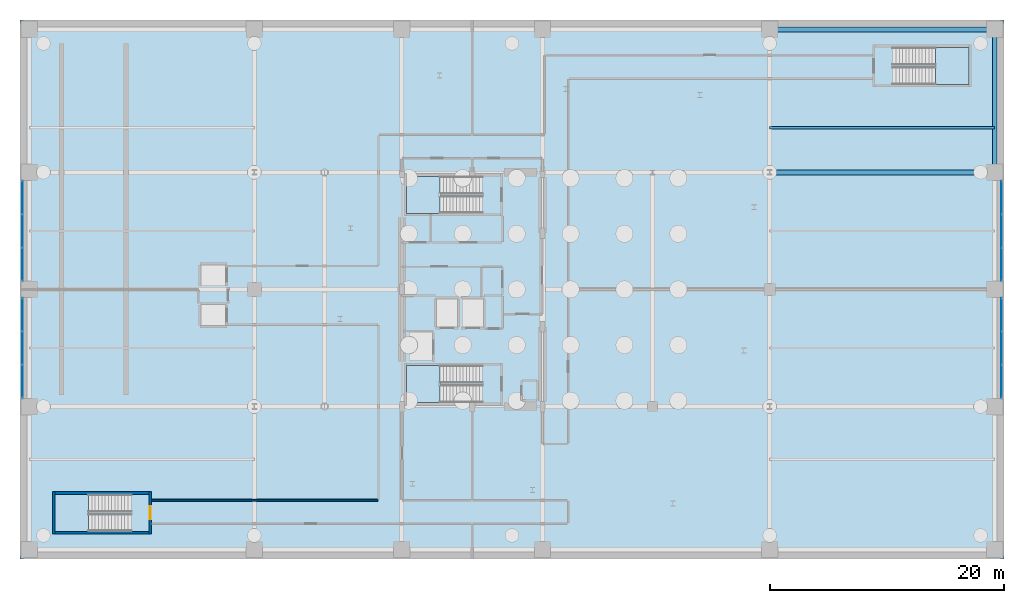
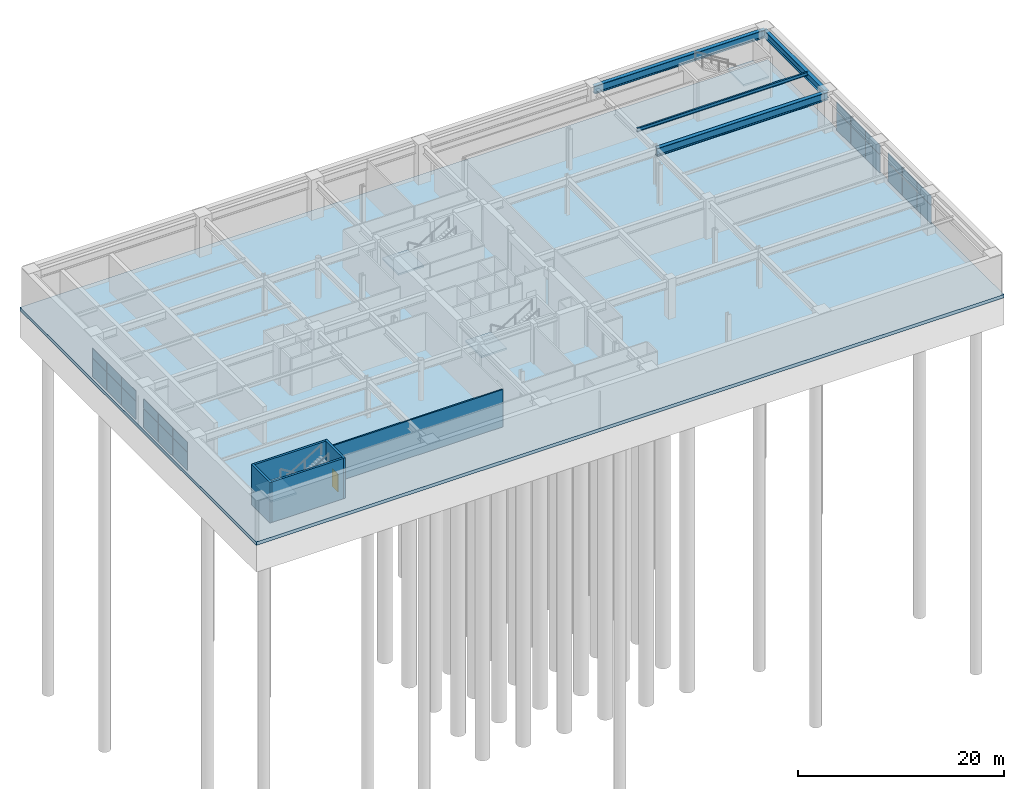
# One storey, part 16 of 25: 24 plates, 5 slabs, 5 walls, 4 beams, 1 door, 1 opening, 8 elements without a shape of their own.
"""IFC4 building model written with IfcOpenShell, lengths in metres."""

import ifcopenshell
import ifcopenshell.guid

model = None  # the IFC model being written
_history = None  # IfcOwnerHistory: only IFC2X3 demands one
_inside = {}  # id of a spatial element -> (the spatial element, [elements in it])
_under = {}  # id of a project, library or spatial element -> (it, [spatial elements below it])
_declared = {}  # id of a project -> (the project, [libraries it declares])
_typed = {}  # id of a type object -> (the type object, [elements of that type])
_made_of = {}  # id of a material, layer set ... -> (it, [elements and type objects made of it])


def new_model(schema):
    """Start an empty IFC model of exactly this schema.

    Asked for "IFC4X3", IfcOpenShell would pick the latest addendum, in which some entities
    have other attributes; the version numbers below select the first issue.
    IFC2X3 requires an IfcOwnerHistory on every rooted entity: one is made here for all.
    """
    global model, _history
    if schema == "IFC4X3":
        model = ifcopenshell.file(schema_version=(4, 3, 0, 0))
    else:
        model = ifcopenshell.file(schema=schema)
    _inside.clear()
    _under.clear()
    _declared.clear()
    _typed.clear()
    _made_of.clear()
    _history = None
    if model.schema == "IFC2X3":
        org = make("IfcOrganization", Name="unknown")
        user = make(
            "IfcPersonAndOrganization",
            ThePerson=make("IfcPerson", FamilyName="unknown"),
            TheOrganization=org,
        )
        app = make(
            "IfcApplication",
            ApplicationDeveloper=org,
            Version="unknown",
            ApplicationFullName="unknown",
            ApplicationIdentifier="unknown",
        )
        _history = make(
            "IfcOwnerHistory",
            OwningUser=user,
            OwningApplication=app,
            ChangeAction="ADDED",
            CreationDate=0,
        )
    return model


def make(cls, **values):
    """One entity of the class cls with the attributes given. An attribute that is None is left unset."""
    return model.create_entity(
        cls, **{name: value for name, value in values.items() if value is not None}
    )


def rooted(cls, **values):
    """An entity with a GlobalId (a new one), such as an element, a storey or a relation."""
    return make(cls, GlobalId=ifcopenshell.guid.new(), OwnerHistory=_history, **values)


def si_unit(unit_type, name, prefix=None):
    """IfcSIUnit, for example si_unit("LENGTHUNIT", "METRE", prefix="MILLI")."""
    return make("IfcSIUnit", UnitType=unit_type, Prefix=prefix, Name=name)


def assignment(units):
    """IfcUnitAssignment: the units of a project."""
    return None if units is None else make("IfcUnitAssignment", Units=units)


def point(xyz):
    """IfcCartesianPoint."""
    return None if xyz is None else make("IfcCartesianPoint", Coordinates=xyz)


def direction(xyz):
    """IfcDirection."""
    return None if xyz is None else make("IfcDirection", DirectionRatios=xyz)


def frame(location, z_axis=None, x_axis=None):
    """IfcAxis2Placement3D, a coordinate frame: its origin and axes. An axis left out is left unset."""
    return make(
        "IfcAxis2Placement3D",
        Location=point(location),
        Axis=direction(z_axis),
        RefDirection=direction(x_axis),
    )


def frame_2d(location, x_axis=None):
    """IfcAxis2Placement2D, a coordinate frame in the plane: its origin and x axis."""
    return make(
        "IfcAxis2Placement2D", Location=point(location), RefDirection=direction(x_axis)
    )


def origin():
    """The frame at (0, 0, 0) with its axes left unset."""
    return frame((0.0, 0.0, 0.0))


def origin_2d():
    """The frame at (0, 0) in the plane with its x axis left unset."""
    return frame_2d((0.0, 0.0))


def place(relative_to, where):
    """IfcLocalPlacement: puts the frame where relative to a parent placement (None: the world)."""
    return make(
        "IfcLocalPlacement", PlacementRelTo=relative_to, RelativePlacement=where
    )


def context(
    kind, dimensions, precision=None, world=None, true_north=None, identifier=None
):
    """IfcGeometricRepresentationContext, for example the 3D "Model" context."""
    return make(
        "IfcGeometricRepresentationContext",
        ContextIdentifier=identifier,
        ContextType=kind,
        CoordinateSpaceDimension=dimensions,
        Precision=precision,
        WorldCoordinateSystem=world,
        TrueNorth=true_north,
    )


def subcontext(parent, identifier, kind, view, scale=None):
    """IfcGeometricRepresentationSubContext, for example "Body" below "Model"."""
    return make(
        "IfcGeometricRepresentationSubContext",
        ContextIdentifier=identifier,
        ContextType=kind,
        ParentContext=parent,
        TargetScale=scale,
        TargetView=view,
    )


def project(units=None, contexts=None):
    """IfcProject with its units and contexts."""
    return rooted(
        "IfcProject",
        Name="project",
        RepresentationContexts=contexts,
        UnitsInContext=assignment(units),
    )


def spatial(cls, under=None, at=None, **own):
    """A site, building, storey or space (cls), placed at a placement, below another one or the project."""
    s = rooted(cls, ObjectPlacement=at, **own)
    if under is not None:
        _under.setdefault(under.id(), (under, []))[1].append(s)
    return s


def polyline(points):
    """IfcPolyline through the points."""
    return make("IfcPolyline", Points=[point(p) for p in points])


def profile(cls, at=None, kind="AREA", **sizes):
    """A parametric profile (cls). Its sizes go by their IFC names, for example OverallWidth=200.0."""
    return make(cls, ProfileType=kind, Position=at, **sizes)


def rectangle(**sizes):
    """IfcRectangleProfileDef."""
    return profile("IfcRectangleProfileDef", **sizes)


def i_section(**sizes):
    """IfcIShapeProfileDef."""
    return profile("IfcIShapeProfileDef", **sizes)


def outline(outer, holes=None, kind="AREA"):
    """IfcArbitraryClosedProfileDef: a profile drawn as a closed curve; with holes, ...WithVoids."""
    if holes is None:
        return make("IfcArbitraryClosedProfileDef", ProfileType=kind, OuterCurve=outer)
    return make(
        "IfcArbitraryProfileDefWithVoids",
        ProfileType=kind,
        OuterCurve=outer,
        InnerCurves=holes,
    )


def extrude(swept, where, along, depth):
    """IfcExtrudedAreaSolid: the profile swept, set in the frame where, extruded along a direction by depth."""
    return make(
        "IfcExtrudedAreaSolid",
        SweptArea=swept,
        Position=where,
        ExtrudedDirection=direction(along),
        Depth=depth,
    )


def shape(context_of_items, identifier, shape_type, items):
    """IfcShapeRepresentation: the items that make up one representation, for example the "Body"."""
    return make(
        "IfcShapeRepresentation",
        ContextOfItems=context_of_items,
        RepresentationIdentifier=identifier,
        RepresentationType=shape_type,
        Items=items,
    )


def material(Name=None, Category=None):
    """IfcMaterial."""
    return make("IfcMaterial", Name=Name, Category=Category)


def layer(
    of_material, thickness, ventilated=None, Name=None, Category=None, Priority=None
):
    """IfcMaterialLayer: one layer of a wall or slab, of a material (None: an air gap)."""
    return make(
        "IfcMaterialLayer",
        Material=of_material,
        LayerThickness=thickness,
        IsVentilated=ventilated,
        Name=Name,
        Category=Category,
        Priority=Priority,
    )


def layer_set(layers, Name=None):
    """IfcMaterialLayerSet."""
    return make("IfcMaterialLayerSet", MaterialLayers=layers, LayerSetName=Name)


def material_profile(
    of_material, cross_section, Name=None, Category=None, Priority=None
):
    """IfcMaterialProfile: a cross section and its material."""
    return make(
        "IfcMaterialProfile",
        Name=Name,
        Material=of_material,
        Profile=cross_section,
        Priority=Priority,
        Category=Category,
    )


def profile_set(profiles, Name=None, composite=None):
    """IfcMaterialProfileSet."""
    return make(
        "IfcMaterialProfileSet",
        Name=Name,
        MaterialProfiles=profiles,
        CompositeProfile=composite,
    )


def made_of(thing, what):
    """Note that an element or type object is made of a material, layer set ...; save() writes the relation."""
    if what is not None:
        _made_of.setdefault(what.id(), (what, []))[1].append(thing)
    return thing


def type_object(cls, material=None, **own):
    """A type object (cls), such as IfcWallType, which elements share."""
    return made_of(rooted(cls, **own), material)


def element(
    cls,
    number,
    at=None,
    inside=None,
    cuts=None,
    type_object=None,
    material=None,
    context=None,
    identifier="Body",
    shape_type=None,
    held_by="IfcProductDefinitionShape",
    body=None,
    shapes=None,
    **own,
):
    """One element of the class cls, such as IfcWall. Its Tag is "e" and its number.

    at: its placement. inside: the storey or other place that contains it. cuts: it is an
    opening in that element (IfcRelVoidsElement). A single representation is given by context,
    identifier, shape_type and body (its items); several are given by shapes. held_by: the class
    of the entity that holds the representations. save() writes the other relations.
    """
    e = rooted(cls, Tag="e%d" % number, ObjectPlacement=at, **own)
    if body is not None:
        shapes = [shape(context, identifier, shape_type, body)]
    if shapes is not None:
        e.Representation = make(held_by, Representations=shapes)
    if inside is not None:
        _inside.setdefault(inside.id(), (inside, []))[1].append(e)
    if cuts is not None:
        rooted(
            "IfcRelVoidsElement", RelatingBuildingElement=cuts, RelatedOpeningElement=e
        )
    if type_object is not None:
        _typed.setdefault(type_object.id(), (type_object, []))[1].append(e)
    return made_of(e, material)


def fill(opening, filler):
    """IfcRelFillsElement: the door or window that sits in an opening."""
    return rooted(
        "IfcRelFillsElement",
        RelatingOpeningElement=opening,
        RelatedBuildingElement=filler,
    )


def aggregate(whole, parts):
    """IfcRelAggregates: a whole, such as a stair, and the parts it consists of."""
    return rooted("IfcRelAggregates", RelatingObject=whole, RelatedObjects=parts)


def save(model, path):
    """Write the relations noted so far, then the file.

    IfcRelAggregates (storeys below a building ...), IfcRelContainedInSpatialStructure (elements
    in a storey), IfcRelDefinesByType, IfcRelAssociatesMaterial and IfcRelDeclares: one each for
    every whole, place, type object, material and project.
    """
    for whole, parts in _under.values():
        aggregate(whole, parts)
    for where, things in _inside.values():
        rooted(
            "IfcRelContainedInSpatialStructure",
            RelatedElements=things,
            RelatingStructure=where,
        )
    for kind, things in _typed.values():
        rooted("IfcRelDefinesByType", RelatedObjects=things, RelatingType=kind)
    for what, things in _made_of.values():
        rooted("IfcRelAssociatesMaterial", RelatedObjects=things, RelatingMaterial=what)
    for by, libraries in _declared.values():
        rooted("IfcRelDeclares", RelatingContext=by, RelatedDefinitions=libraries)
    model.write(path)


model = new_model("IFC4")

# Units and contexts
model_context = context("Model", 3, precision=1e-05, world=origin(), true_north=direction((0.0, 1.0)))
body_context = subcontext(model_context, "Body", "Model", "MODEL_VIEW")
ifc_project = project(units=[si_unit("LENGTHUNIT", "METRE"), si_unit("AREAUNIT", "SQUARE_METRE"), si_unit("VOLUMEUNIT", "CUBIC_METRE"), si_unit("PLANEANGLEUNIT", "RADIAN"), si_unit("MASSUNIT", "GRAM", prefix="KILO")], contexts=[model_context])

# Site, building, storey
site_placement = place(None, origin())
site = spatial("IfcSite", under=ifc_project, at=site_placement, CompositionType="ELEMENT")
building_placement = place(site_placement, origin())
building = spatial("IfcBuilding", under=site, at=building_placement, Name="Soratama Intermodal Tower", CompositionType="ELEMENT")
storey_placement = place(building_placement, frame((0.0, 0.0, -10.199951171875)))
storey = spatial("IfcBuildingStorey", under=building, at=storey_placement, Name="B2", CompositionType="ELEMENT", Elevation=-10.199951171875)

# Beams
ifc_material_1 = material(Name="Structural steel ASTM A992 Grade 50", Category="steel")
ifc_material_profile_1 = material_profile(ifc_material_1, i_section(OverallWidth=0.177978515625, OverallDepth=0.406982421875, WebThickness=0.0078125, FlangeThickness=0.0126953125, FilletRadius=0.010009765625, at=origin_2d()), Name="W16X40")
ifc_profile_set_1 = profile_set([ifc_material_profile_1], Name="Structural steel ASTM A992 Grade 50")
beam_type_1 = type_object("IfcBeamType", Name="BM-JST-W16X40", PredefinedType="JOIST", material=ifc_profile_set_1)
beam_1_placement = place(storey_placement, frame((64.0, 38.800048828125, 4.236572265625), z_axis=(1.0, 0.0, 0.0), x_axis=(0.0, 1.0, 0.0)))
element("IfcBeam", 1, at=beam_1_placement, inside=storey, type_object=beam_type_1, Name="JST-B2-E4", PredefinedType="JOIST", context=body_context, shape_type="SweptSolid", body=[
    extrude(i_section(OverallWidth=0.177978515625, OverallDepth=0.406982421875, WebThickness=0.0078125, FlangeThickness=0.0126953125, FilletRadius=0.010009765625, at=origin_2d()), origin(), (0.0, 0.0, 1.0), 19.199951171875),
])
ifc_material_2 = material(Name="Structural steel ASTM A992 Grade 50", Category="steel")
ifc_material_profile_2 = material_profile(ifc_material_2, i_section(OverallWidth=0.403076171875, OverallDepth=0.867919921875, WebThickness=0.02099609375, FlangeThickness=0.03564453125, FilletRadius=0.01806640625, at=origin_2d()), Name="W33X241")
ifc_profile_set_2 = profile_set([ifc_material_profile_2], Name="Structural steel ASTM A992 Grade 50")
beam_type_2 = type_object("IfcBeamType", Name="BM-POD-EXT-W33", PredefinedType="BEAM", material=ifc_profile_set_2)
beam_2_placement = place(storey_placement, frame((83.199951171875, 35.0, 4.005859375), z_axis=(0.0, 1.0, 0.0), x_axis=(-1.0, 0.0, 0.0)))
element("IfcBeam", 2, at=beam_2_placement, inside=storey, type_object=beam_type_2, Name="B2 Station Girder Y4-4", PredefinedType="BEAM", context=body_context, shape_type="SweptSolid", body=[
    extrude(i_section(OverallWidth=0.403076171875, OverallDepth=0.867919921875, WebThickness=0.02099609375, FlangeThickness=0.03564453125, FilletRadius=0.01806640625, at=origin_2d()), origin(), (0.0, 0.0, 1.0), 12.199951171875),
])
ifc_material_3 = material(Name="Structural steel ASTM A992 Grade 50", Category="steel")
ifc_material_profile_3 = material_profile(ifc_material_3, i_section(OverallWidth=0.423095703125, OverallDepth=0.93896484375, WebThickness=0.02392578125, FlangeThickness=0.042724609375, FilletRadius=0.02392578125, at=origin_2d()), Name="W36X302")
ifc_profile_set_3 = profile_set([ifc_material_profile_3], Name="Structural steel ASTM A992 Grade 50")
beam_type_3 = type_object("IfcBeamType", Name="BM-POD-EXT-W36", PredefinedType="BEAM", material=ifc_profile_set_3)
beam_3_placement = place(storey_placement, frame((64.0, 47.199951171875, 3.970458984375), z_axis=(1.0, 0.0, 0.0), x_axis=(0.0, 1.0, 0.0)))
element("IfcBeam", 3, at=beam_3_placement, inside=storey, type_object=beam_type_3, Name="B2 Station Girder X5-5", PredefinedType="BEAM", context=body_context, shape_type="SweptSolid", body=[
    extrude(i_section(OverallWidth=0.423095703125, OverallDepth=0.93896484375, WebThickness=0.02392578125, FlangeThickness=0.042724609375, FilletRadius=0.02392578125, at=origin_2d()), origin(), (0.0, 0.0, 1.0), 19.199951171875),
])
ifc_material_4 = material(Name="Structural steel ASTM A992 Grade 50", Category="steel")
ifc_material_profile_4 = material_profile(ifc_material_4, i_section(OverallWidth=0.423095703125, OverallDepth=0.93896484375, WebThickness=0.02392578125, FlangeThickness=0.042724609375, FilletRadius=0.02392578125, at=origin_2d()), Name="W36X302")
ifc_profile_set_4 = profile_set([ifc_material_profile_4], Name="Structural steel ASTM A992 Grade 50")
beam_type_4 = type_object("IfcBeamType", Name="BM-POD-W36X302", PredefinedType="BEAM", material=ifc_profile_set_4)
beam_4_placement = place(storey_placement, frame((64.0, 35.0, 3.970458984375), z_axis=(1.0, 0.0, 0.0), x_axis=(0.0, 1.0, 0.0)))
element("IfcBeam", 4, at=beam_4_placement, inside=storey, type_object=beam_type_4, Name="B2 Station Girder X4-5", PredefinedType="BEAM", context=body_context, shape_type="SweptSolid", body=[
    extrude(i_section(OverallWidth=0.423095703125, OverallDepth=0.93896484375, WebThickness=0.02392578125, FlangeThickness=0.042724609375, FilletRadius=0.02392578125, at=origin_2d()), origin(), (0.0, 0.0, 1.0), 19.199951171875),
])

# Curtain wall, plates
ifc_material_5 = material(Name="Double-glazed aluminium curtain wall", Category="aluminium")
ifc_layer_1 = layer(ifc_material_5, 0.159912109375)
ifc_layer_set_1 = layer_set([ifc_layer_1], Name="Double-glazed aluminium curtain wall")
curtain_wall_type = type_object("IfcCurtainWallType", Name="CW-SYS-1", PredefinedType="NOTDEFINED", material=ifc_layer_set_1)
curtain_wall_1_placement = place(storey_placement, origin())
curtain_wall_1 = element("IfcCurtainWall", 5, at=curtain_wall_1_placement, inside=storey, type_object=curtain_wall_type, Name="B2 Station Curtain Wall E1", PredefinedType="NOTDEFINED")
ifc_material_6 = material(Name="Low-E laminated double glazing", Category="glass")
ifc_layer_2 = layer(ifc_material_6, 0.035888671875)
ifc_layer_set_2 = layer_set([ifc_layer_2], Name="Low-E laminated double glazing")
plate_type = type_object("IfcPlateType", Name="PT-CWP-1", PredefinedType="CURTAIN_PANEL", material=ifc_layer_set_2)
plate_1_placement = place(storey_placement, frame((83.800048828125, 17.1484375, 0.06005859375), z_axis=(0.0, 0.0, 1.0), x_axis=(0.0, 1.0, 0.0)))
plate_1 = element("IfcPlate", 6, at=plate_1_placement, type_object=plate_type, Name="CW-1 panel 1.1", PredefinedType="CURTAIN_PANEL", context=body_context, shape_type="SweptSolid", body=[
    extrude(rectangle(XDim=2.776611328125, YDim=0.028076171875, at=origin_2d()), origin(), (0.0, 0.0, 1.0), 2.159912109375),
])
plate_2_placement = place(storey_placement, frame((83.800048828125, 17.1484375, 2.27978515625), z_axis=(0.0, 0.0, 1.0), x_axis=(0.0, 1.0, 0.0)))
plate_2 = element("IfcPlate", 7, at=plate_2_placement, type_object=plate_type, Name="CW-1 panel 1.2", PredefinedType="CURTAIN_PANEL", context=body_context, shape_type="SweptSolid", body=[
    extrude(rectangle(XDim=2.776611328125, YDim=0.028076171875, at=origin_2d()), origin(), (0.0, 0.0, 1.0), 1.156005859375),
])
plate_3_placement = place(storey_placement, frame((83.800048828125, 20.0, 0.06005859375), z_axis=(0.0, 0.0, 1.0), x_axis=(0.0, 1.0, 0.0)))
plate_3 = element("IfcPlate", 8, at=plate_3_placement, type_object=plate_type, Name="CW-1 panel 2.1", PredefinedType="CURTAIN_PANEL", context=body_context, shape_type="SweptSolid", body=[
    extrude(rectangle(XDim=2.806640625, YDim=0.028076171875, at=origin_2d()), origin(), (0.0, 0.0, 1.0), 2.159912109375),
])
plate_4_placement = place(storey_placement, frame((83.800048828125, 20.0, 2.27978515625), z_axis=(0.0, 0.0, 1.0), x_axis=(0.0, 1.0, 0.0)))
plate_4 = element("IfcPlate", 9, at=plate_4_placement, type_object=plate_type, Name="CW-1 panel 2.2", PredefinedType="CURTAIN_PANEL", context=body_context, shape_type="SweptSolid", body=[
    extrude(rectangle(XDim=2.806640625, YDim=0.028076171875, at=origin_2d()), origin(), (0.0, 0.0, 1.0), 1.156005859375),
])
plate_5_placement = place(storey_placement, frame((83.800048828125, 22.8515625, 0.06005859375), z_axis=(0.0, 0.0, 1.0), x_axis=(0.0, 1.0, 0.0)))
plate_5 = element("IfcPlate", 10, at=plate_5_placement, type_object=plate_type, Name="CW-1 panel 3.1", PredefinedType="CURTAIN_PANEL", context=body_context, shape_type="SweptSolid", body=[
    extrude(rectangle(XDim=2.776611328125, YDim=0.028076171875, at=origin_2d()), origin(), (0.0, 0.0, 1.0), 2.159912109375),
])
plate_6_placement = place(storey_placement, frame((83.800048828125, 22.8515625, 2.27978515625), z_axis=(0.0, 0.0, 1.0), x_axis=(0.0, 1.0, 0.0)))
plate_6 = element("IfcPlate", 11, at=plate_6_placement, type_object=plate_type, Name="CW-1 panel 3.2", PredefinedType="CURTAIN_PANEL", context=body_context, shape_type="SweptSolid", body=[
    extrude(rectangle(XDim=2.776611328125, YDim=0.028076171875, at=origin_2d()), origin(), (0.0, 0.0, 1.0), 1.156005859375),
])
aggregate(curtain_wall_1, [plate_1, plate_2, plate_3, plate_4, plate_5, plate_6])

curtain_wall_2_placement = place(storey_placement, origin())
curtain_wall_2 = element("IfcCurtainWall", 12, at=curtain_wall_2_placement, inside=storey, type_object=curtain_wall_type, Name="B2 Station Curtain Wall E2", PredefinedType="NOTDEFINED")
plate_7_placement = place(storey_placement, frame((83.800048828125, 27.1484375, 0.06005859375), z_axis=(0.0, 0.0, 1.0), x_axis=(0.0, 1.0, 0.0)))
plate_7 = element("IfcPlate", 13, at=plate_7_placement, type_object=plate_type, Name="CW-1 panel 1.1", PredefinedType="CURTAIN_PANEL", context=body_context, shape_type="SweptSolid", body=[
    extrude(rectangle(XDim=2.776611328125, YDim=0.028076171875, at=origin_2d()), origin(), (0.0, 0.0, 1.0), 2.159912109375),
])
plate_8_placement = place(storey_placement, frame((83.800048828125, 27.1484375, 2.27978515625), z_axis=(0.0, 0.0, 1.0), x_axis=(0.0, 1.0, 0.0)))
plate_8 = element("IfcPlate", 14, at=plate_8_placement, type_object=plate_type, Name="CW-1 panel 1.2", PredefinedType="CURTAIN_PANEL", context=body_context, shape_type="SweptSolid", body=[
    extrude(rectangle(XDim=2.776611328125, YDim=0.028076171875, at=origin_2d()), origin(), (0.0, 0.0, 1.0), 1.156005859375),
])
plate_9_placement = place(storey_placement, frame((83.800048828125, 30.0, 0.06005859375), z_axis=(0.0, 0.0, 1.0), x_axis=(0.0, 1.0, 0.0)))
plate_9 = element("IfcPlate", 15, at=plate_9_placement, type_object=plate_type, Name="CW-1 panel 2.1", PredefinedType="CURTAIN_PANEL", context=body_context, shape_type="SweptSolid", body=[
    extrude(rectangle(XDim=2.806640625, YDim=0.028076171875, at=origin_2d()), origin(), (0.0, 0.0, 1.0), 2.159912109375),
])
plate_10_placement = place(storey_placement, frame((83.800048828125, 30.0, 2.27978515625), z_axis=(0.0, 0.0, 1.0), x_axis=(0.0, 1.0, 0.0)))
plate_10 = element("IfcPlate", 16, at=plate_10_placement, type_object=plate_type, Name="CW-1 panel 2.2", PredefinedType="CURTAIN_PANEL", context=body_context, shape_type="SweptSolid", body=[
    extrude(rectangle(XDim=2.806640625, YDim=0.028076171875, at=origin_2d()), origin(), (0.0, 0.0, 1.0), 1.156005859375),
])
plate_11_placement = place(storey_placement, frame((83.800048828125, 32.8515625, 0.06005859375), z_axis=(0.0, 0.0, 1.0), x_axis=(0.0, 1.0, 0.0)))
plate_11 = element("IfcPlate", 17, at=plate_11_placement, type_object=plate_type, Name="CW-1 panel 3.1", PredefinedType="CURTAIN_PANEL", context=body_context, shape_type="SweptSolid", body=[
    extrude(rectangle(XDim=2.776611328125, YDim=0.028076171875, at=origin_2d()), origin(), (0.0, 0.0, 1.0), 2.159912109375),
])
plate_12_placement = place(storey_placement, frame((83.800048828125, 32.8515625, 2.27978515625), z_axis=(0.0, 0.0, 1.0), x_axis=(0.0, 1.0, 0.0)))
plate_12 = element("IfcPlate", 18, at=plate_12_placement, type_object=plate_type, Name="CW-1 panel 3.2", PredefinedType="CURTAIN_PANEL", context=body_context, shape_type="SweptSolid", body=[
    extrude(rectangle(XDim=2.776611328125, YDim=0.028076171875, at=origin_2d()), origin(), (0.0, 0.0, 1.0), 1.156005859375),
])
aggregate(curtain_wall_2, [plate_7, plate_8, plate_9, plate_10, plate_11, plate_12])

curtain_wall_3_placement = place(storey_placement, origin())
curtain_wall_3 = element("IfcCurtainWall", 19, at=curtain_wall_3_placement, inside=storey, type_object=curtain_wall_type, Name="B2 Station Curtain Wall W1", PredefinedType="NOTDEFINED")
plate_13_placement = place(storey_placement, frame((0.199951171875, 17.1484375, 0.06005859375), z_axis=(0.0, 0.0, 1.0), x_axis=(0.0, 1.0, 0.0)))
plate_13 = element("IfcPlate", 20, at=plate_13_placement, type_object=plate_type, Name="CW-1 panel 1.1", PredefinedType="CURTAIN_PANEL", context=body_context, shape_type="SweptSolid", body=[
    extrude(rectangle(XDim=2.776611328125, YDim=0.028076171875, at=origin_2d()), origin(), (0.0, 0.0, 1.0), 2.159912109375),
])
plate_14_placement = place(storey_placement, frame((0.199951171875, 17.1484375, 2.27978515625), z_axis=(0.0, 0.0, 1.0), x_axis=(0.0, 1.0, 0.0)))
plate_14 = element("IfcPlate", 21, at=plate_14_placement, type_object=plate_type, Name="CW-1 panel 1.2", PredefinedType="CURTAIN_PANEL", context=body_context, shape_type="SweptSolid", body=[
    extrude(rectangle(XDim=2.776611328125, YDim=0.028076171875, at=origin_2d()), origin(), (0.0, 0.0, 1.0), 1.156005859375),
])
plate_15_placement = place(storey_placement, frame((0.199951171875, 20.0, 0.06005859375), z_axis=(0.0, 0.0, 1.0), x_axis=(0.0, 1.0, 0.0)))
plate_15 = element("IfcPlate", 22, at=plate_15_placement, type_object=plate_type, Name="CW-1 panel 2.1", PredefinedType="CURTAIN_PANEL", context=body_context, shape_type="SweptSolid", body=[
    extrude(rectangle(XDim=2.806640625, YDim=0.028076171875, at=origin_2d()), origin(), (0.0, 0.0, 1.0), 2.159912109375),
])
plate_16_placement = place(storey_placement, frame((0.199951171875, 20.0, 2.27978515625), z_axis=(0.0, 0.0, 1.0), x_axis=(0.0, 1.0, 0.0)))
plate_16 = element("IfcPlate", 23, at=plate_16_placement, type_object=plate_type, Name="CW-1 panel 2.2", PredefinedType="CURTAIN_PANEL", context=body_context, shape_type="SweptSolid", body=[
    extrude(rectangle(XDim=2.806640625, YDim=0.028076171875, at=origin_2d()), origin(), (0.0, 0.0, 1.0), 1.156005859375),
])
plate_17_placement = place(storey_placement, frame((0.199951171875, 22.8515625, 0.06005859375), z_axis=(0.0, 0.0, 1.0), x_axis=(0.0, 1.0, 0.0)))
plate_17 = element("IfcPlate", 24, at=plate_17_placement, type_object=plate_type, Name="CW-1 panel 3.1", PredefinedType="CURTAIN_PANEL", context=body_context, shape_type="SweptSolid", body=[
    extrude(rectangle(XDim=2.776611328125, YDim=0.028076171875, at=origin_2d()), origin(), (0.0, 0.0, 1.0), 2.159912109375),
])
plate_18_placement = place(storey_placement, frame((0.199951171875, 22.8515625, 2.27978515625), z_axis=(0.0, 0.0, 1.0), x_axis=(0.0, 1.0, 0.0)))
plate_18 = element("IfcPlate", 25, at=plate_18_placement, type_object=plate_type, Name="CW-1 panel 3.2", PredefinedType="CURTAIN_PANEL", context=body_context, shape_type="SweptSolid", body=[
    extrude(rectangle(XDim=2.776611328125, YDim=0.028076171875, at=origin_2d()), origin(), (0.0, 0.0, 1.0), 1.156005859375),
])
aggregate(curtain_wall_3, [plate_13, plate_14, plate_15, plate_16, plate_17, plate_18])

curtain_wall_4_placement = place(storey_placement, origin())
curtain_wall_4 = element("IfcCurtainWall", 26, at=curtain_wall_4_placement, inside=storey, type_object=curtain_wall_type, Name="B2 Station Curtain Wall W2", PredefinedType="NOTDEFINED")
plate_19_placement = place(storey_placement, frame((0.199951171875, 27.1484375, 0.06005859375), z_axis=(0.0, 0.0, 1.0), x_axis=(0.0, 1.0, 0.0)))
plate_19 = element("IfcPlate", 27, at=plate_19_placement, type_object=plate_type, Name="CW-1 panel 1.1", PredefinedType="CURTAIN_PANEL", context=body_context, shape_type="SweptSolid", body=[
    extrude(rectangle(XDim=2.776611328125, YDim=0.028076171875, at=origin_2d()), origin(), (0.0, 0.0, 1.0), 2.159912109375),
])
plate_20_placement = place(storey_placement, frame((0.199951171875, 27.1484375, 2.27978515625), z_axis=(0.0, 0.0, 1.0), x_axis=(0.0, 1.0, 0.0)))
plate_20 = element("IfcPlate", 28, at=plate_20_placement, type_object=plate_type, Name="CW-1 panel 1.2", PredefinedType="CURTAIN_PANEL", context=body_context, shape_type="SweptSolid", body=[
    extrude(rectangle(XDim=2.776611328125, YDim=0.028076171875, at=origin_2d()), origin(), (0.0, 0.0, 1.0), 1.156005859375),
])
plate_21_placement = place(storey_placement, frame((0.199951171875, 30.0, 0.06005859375), z_axis=(0.0, 0.0, 1.0), x_axis=(0.0, 1.0, 0.0)))
plate_21 = element("IfcPlate", 29, at=plate_21_placement, type_object=plate_type, Name="CW-1 panel 2.1", PredefinedType="CURTAIN_PANEL", context=body_context, shape_type="SweptSolid", body=[
    extrude(rectangle(XDim=2.806640625, YDim=0.028076171875, at=origin_2d()), origin(), (0.0, 0.0, 1.0), 2.159912109375),
])
plate_22_placement = place(storey_placement, frame((0.199951171875, 30.0, 2.27978515625), z_axis=(0.0, 0.0, 1.0), x_axis=(0.0, 1.0, 0.0)))
plate_22 = element("IfcPlate", 30, at=plate_22_placement, type_object=plate_type, Name="CW-1 panel 2.2", PredefinedType="CURTAIN_PANEL", context=body_context, shape_type="SweptSolid", body=[
    extrude(rectangle(XDim=2.806640625, YDim=0.028076171875, at=origin_2d()), origin(), (0.0, 0.0, 1.0), 1.156005859375),
])
plate_23_placement = place(storey_placement, frame((0.199951171875, 32.8515625, 0.06005859375), z_axis=(0.0, 0.0, 1.0), x_axis=(0.0, 1.0, 0.0)))
plate_23 = element("IfcPlate", 31, at=plate_23_placement, type_object=plate_type, Name="CW-1 panel 3.1", PredefinedType="CURTAIN_PANEL", context=body_context, shape_type="SweptSolid", body=[
    extrude(rectangle(XDim=2.776611328125, YDim=0.028076171875, at=origin_2d()), origin(), (0.0, 0.0, 1.0), 2.159912109375),
])
plate_24_placement = place(storey_placement, frame((0.199951171875, 32.8515625, 2.27978515625), z_axis=(0.0, 0.0, 1.0), x_axis=(0.0, 1.0, 0.0)))
plate_24 = element("IfcPlate", 32, at=plate_24_placement, type_object=plate_type, Name="CW-1 panel 3.2", PredefinedType="CURTAIN_PANEL", context=body_context, shape_type="SweptSolid", body=[
    extrude(rectangle(XDim=2.776611328125, YDim=0.028076171875, at=origin_2d()), origin(), (0.0, 0.0, 1.0), 1.156005859375),
])
aggregate(curtain_wall_4, [plate_19, plate_20, plate_21, plate_22, plate_23, plate_24])

# Slab
ifc_material_7 = material(Name="Concrete f'c 42 MPa", Category="concrete")
ifc_layer_3 = layer(ifc_material_7, 0.39990234375)
ifc_layer_set_3 = layer_set([ifc_layer_3], Name="Concrete f'c 42 MPa")
slab_type_1 = type_object("IfcSlabType", Name="SL-BASE-400", PredefinedType="BASESLAB", material=ifc_layer_set_3)
slab_1_placement = place(storey_placement, frame((0.0, 0.0, -0.400146484375)))
element("IfcSlab", 33, at=slab_1_placement, inside=storey, type_object=slab_type_1, Name="B2 Structural Floor Slab", PredefinedType="BASESLAB", context=body_context, shape_type="SweptSolid", body=[
    extrude(outline(polyline([(0.0, 2.0), (84.0, 2.0), (84.0, 48.0), (0.0, 48.0), (0.0, 2.0)])), origin(), (0.0, 0.0, 1.0), 0.400146484375),
])

# Stair, slab
ifc_material_8 = material(Name="Concrete f'c 42 MPa", Category="concrete")
stair_type = type_object("IfcStairType", Name="ST-CORE-DOGLEG", PredefinedType="HALF_TURN_STAIR", material=ifc_material_8)
stair_1_placement = place(storey_placement, origin())
stair_1 = element("IfcStair", 34, at=stair_1_placement, inside=storey, type_object=stair_type, Name="B2 ST-1", PredefinedType="HALF_TURN_STAIR")
ifc_material_9 = material(Name="Concrete f'c 42 MPa", Category="concrete")
ifc_layer_4 = layer(ifc_material_9, 0.219970703125)
ifc_layer_set_4 = layer_set([ifc_layer_4], Name="Concrete f'c 42 MPa")
slab_type_2 = type_object("IfcSlabType", Name="SL-STAIR-LAND", PredefinedType="LANDING", material=ifc_layer_set_4)
slab_2_placement = place(storey_placement, frame((0.0, 0.0, 2.199951171875)))
slab_2 = element("IfcSlab", 35, at=slab_2_placement, type_object=slab_type_2, Name="ST-1 landing 1", PredefinedType="LANDING", context=body_context, shape_type="SweptSolid", body=[
    extrude(outline(polyline([(35.860107421875, 18.5), (33.0, 18.5), (33.0, 15.35009765625), (35.860107421875, 15.35009765625), (35.860107421875, 18.5)])), origin(), (0.0, 0.0, 1.0), 0.199951171875),
])
aggregate(stair_1, [slab_2])

stair_2_placement = place(storey_placement, origin())
stair_2 = element("IfcStair", 36, at=stair_2_placement, inside=storey, type_object=stair_type, Name="B2 ST-2", PredefinedType="HALF_TURN_STAIR")
slab_3_placement = place(storey_placement, frame((0.0, 0.0, 2.199951171875)))
slab_3 = element("IfcSlab", 37, at=slab_3_placement, type_object=slab_type_2, Name="ST-2 landing 1", PredefinedType="LANDING", context=body_context, shape_type="SweptSolid", body=[
    extrude(outline(polyline([(35.860107421875, 34.64990234375), (33.0, 34.64990234375), (33.0, 31.5), (35.860107421875, 31.5), (35.860107421875, 34.64990234375)])), origin(), (0.0, 0.0, 1.0), 0.199951171875),
])
aggregate(stair_2, [slab_3])

stair_3_placement = place(storey_placement, origin())
stair_3 = element("IfcStair", 38, at=stair_3_placement, inside=storey, type_object=stair_type, Name="B2 ST-3", PredefinedType="HALF_TURN_STAIR")
slab_4_placement = place(storey_placement, frame((0.0, 0.0, 2.199951171875)))
slab_4 = element("IfcSlab", 39, at=slab_4_placement, type_object=slab_type_2, Name="ST-3 landing 1", PredefinedType="LANDING", context=body_context, shape_type="SweptSolid", body=[
    extrude(outline(polyline([(5.860107421875, 7.5), (3.0, 7.5), (3.0, 4.35009765625), (5.860107421875, 4.35009765625), (5.860107421875, 7.5)])), origin(), (0.0, 0.0, 1.0), 0.199951171875),
])
aggregate(stair_3, [slab_4])

stair_4_placement = place(storey_placement, origin())
stair_4 = element("IfcStair", 40, at=stair_4_placement, inside=storey, type_object=stair_type, Name="B2 ST-4", PredefinedType="HALF_TURN_STAIR")
slab_5_placement = place(storey_placement, frame((0.0, 0.0, 2.199951171875)))
slab_5 = element("IfcSlab", 41, at=slab_5_placement, type_object=slab_type_2, Name="ST-4 landing 1", PredefinedType="LANDING", context=body_context, shape_type="SweptSolid", body=[
    extrude(outline(polyline([(78.139892578125, 42.5), (81.0, 42.5), (81.0, 45.64990234375), (78.139892578125, 45.64990234375), (78.139892578125, 42.5)])), origin(), (0.0, 0.0, 1.0), 0.199951171875),
])
aggregate(stair_4, [slab_5])

# Walls
ifc_material_10 = material(Name="Fire-rated gypsum stud partition", Category="concrete")
ifc_layer_5 = layer(ifc_material_10, 0.159912109375)
ifc_layer_set_5 = layer_set([ifc_layer_5], Name="Fire-rated gypsum stud partition")
wall_type_1 = type_object("IfcWallType", Name="IW-PART-R160", PredefinedType="PARTITIONING", material=ifc_layer_set_5)
wall_1_placement = place(storey_placement, frame((11.1201171875, 7.0, 0.0), z_axis=(0.0, 0.0, 1.0), x_axis=(1.0, 0.0, 0.0)))
element("IfcWall", 42, at=wall_1_placement, inside=storey, type_object=wall_type_1, Name="B2 Partition W-B2-TP005", PredefinedType="PARTITIONING", context=body_context, shape_type="SweptSolid", body=[
    extrude(rectangle(XDim=19.409912109375, YDim=0.159912109375, at=frame_2d((9.705078125, 0.0))), origin(), (0.0, 0.0, 1.0), 4.43994140625),
])
ifc_material_11 = material(Name="Concrete f'c 56 MPa", Category="concrete")
ifc_layer_6 = layer(ifc_material_11, 0.239990234375)
ifc_layer_set_6 = layer_set([ifc_layer_6], Name="Concrete f'c 56 MPa")
wall_type_2 = type_object("IfcWallType", Name="SW-STAIR-240", PredefinedType="SHEAR", material=ifc_layer_set_6)
wall_2_placement = place(storey_placement, frame((2.8798828125, 4.110107421875, -0.400146484375), z_axis=(0.0, 0.0, 1.0), x_axis=(0.0, 1.0, 0.0)))
element("IfcWall", 43, at=wall_2_placement, inside=storey, type_object=wall_type_2, Name="B2 ST-3 Shaft Shear Wall W", PredefinedType="SHEAR", context=body_context, shape_type="SweptSolid", body=[
    extrude(rectangle(XDim=3.6298828125, YDim=0.239990234375, at=frame_2d((1.81494140625, 0.0))), origin(), (0.0, 0.0, 1.0), 5.2001953125),
])

# Wall, opening, door
wall_3_placement = place(storey_placement, frame((11.1201171875, 4.110107421875, -0.400146484375), z_axis=(0.0, 0.0, 1.0), x_axis=(0.0, 1.0, 0.0)))
wall_3 = element("IfcWall", 44, at=wall_3_placement, inside=storey, type_object=wall_type_2, Name="B2 ST-3 Shaft Shear Wall E", PredefinedType="SHEAR", context=body_context, shape_type="SweptSolid", body=[
    extrude(rectangle(XDim=3.6298828125, YDim=0.239990234375, at=frame_2d((1.81494140625, 0.0))), origin(), (0.0, 0.0, 1.0), 5.2001953125),
])
opening_placement = place(wall_3_placement, frame((1.2548828125, 0.0, 0.39990234375)))
opening = element("IfcOpeningElement", 45, at=opening_placement, cuts=wall_3, Name="Opening SD-1", PredefinedType="OPENING", context=body_context, shape_type="SweptSolid", body=[
    extrude(rectangle(XDim=1.1201171875, YDim=2.14990234375, at=frame_2d((0.56005859375, 1.074951171875))), frame((0.0, 0.1298828125, 0.0), z_axis=(0.0, -1.0, 0.0), x_axis=(1.0, 0.0, 0.0)), (0.0, 0.0, 1.0), 0.260009765625),
])
ifc_material_12 = material(Name="Steel fire door", Category="steel")
door_type = type_object("IfcDoorType", Name="DR-STAIR-FD90", OperationType="NOTDEFINED", PredefinedType="DOOR", material=ifc_material_12)
door_placement = place(opening_placement, origin())
door = element("IfcDoor", 46, at=door_placement, inside=storey, type_object=door_type, Name="B2 ST-3 Exit Stair Door", OperationType="SINGLE_SWING_LEFT", OverallHeight=2.14990234375, OverallWidth=1.1201171875, PredefinedType="DOOR", context=body_context, shape_type="SweptSolid", body=[
    extrude(rectangle(XDim=1.1201171875, YDim=2.14990234375, at=frame_2d((0.56005859375, 1.074951171875))), frame((0.0, 0.02490234375, 0.0), z_axis=(0.0, -1.0, 0.0), x_axis=(1.0, 0.0, 0.0)), (0.0, 0.0, 1.0), 0.050048828125),
])
fill(opening, door)

# Walls
for number, where, z_axis, x_axis, name in (
    (47, (3.0, 4.22998046875, -0.400146484375), (0.0, 0.0, 1.0), (1.0, 0.0, 0.0), "B2 ST-3 Shaft Shear Wall S"),
    (48, (3.0, 7.6201171875, -0.400146484375), (0.0, 0.0, 1.0), (1.0, 0.0, 0.0), "B2 ST-3 Shaft Shear Wall N"),
):
    element("IfcWall", number, at=place(storey_placement, frame(where, z_axis=z_axis, x_axis=x_axis)), inside=storey, type_object=wall_type_2, Name=name, PredefinedType="SHEAR", context=body_context, shape_type="SweptSolid", body=[
        extrude(rectangle(XDim=8.0, YDim=0.239990234375, at=frame_2d((4.0, 0.0))), origin(), (0.0, 0.0, 1.0), 5.2001953125),
    ])

save(model, "model.ifc")
